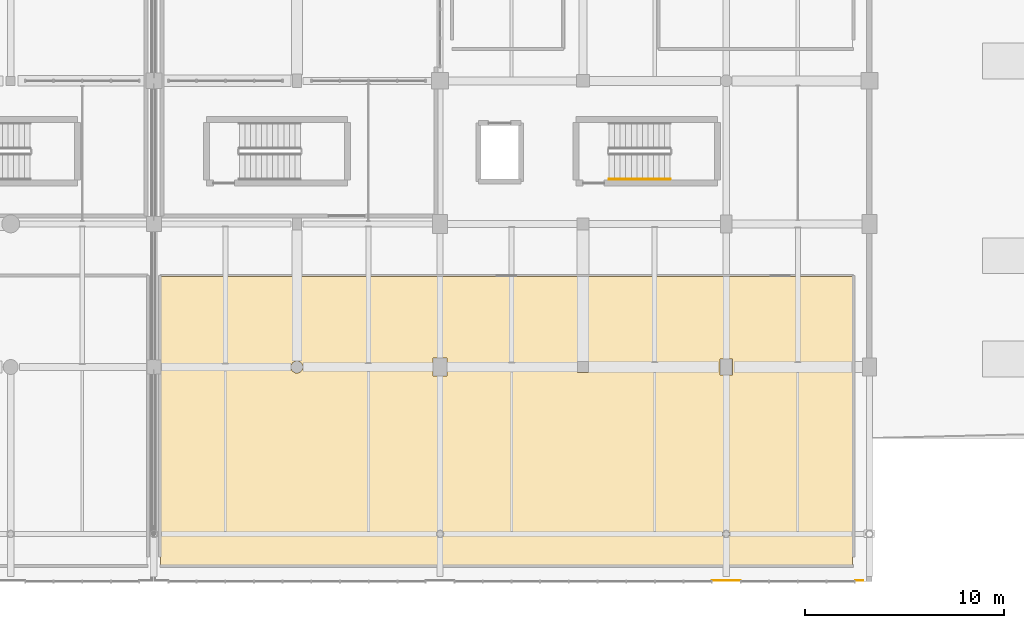
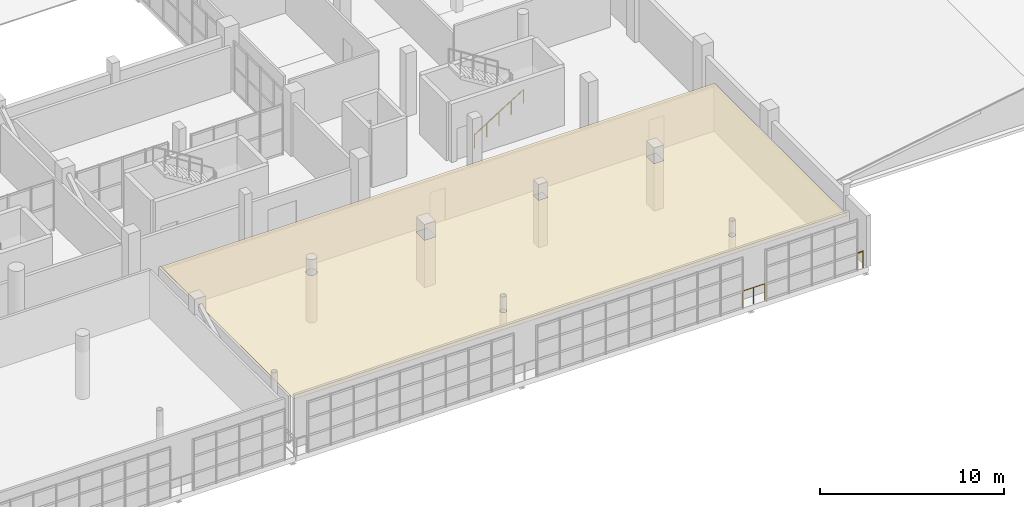
# One storey, part 86 of 90: 3 railings, 1 covering.
"""IFC4 building model written with IfcOpenShell, lengths in metres."""

from ifc_helpers import new_model, si_unit, direction, frame, origin, origin_2d, place, context, subcontext, project, spatial, polyline, circle, outline, extrude, material, layer, layer_set, type_object, element, save


model = new_model("IFC4")

# Units and contexts
model_context = context("Model", 3, precision=1e-05, world=origin(), true_north=direction((0.0, 1.0)))
body_context = subcontext(model_context, "Body", "Model", "MODEL_VIEW")
ifc_project = project(units=[si_unit("LENGTHUNIT", "METRE"), si_unit("AREAUNIT", "SQUARE_METRE"), si_unit("VOLUMEUNIT", "CUBIC_METRE"), si_unit("PLANEANGLEUNIT", "RADIAN"), si_unit("MASSUNIT", "GRAM", prefix="KILO")], contexts=[model_context])

# Site, building, storey
site_placement = place(None, origin())
site = spatial("IfcSite", under=ifc_project, at=site_placement, CompositionType="ELEMENT")
building_placement = place(site_placement, origin())
building = spatial("IfcBuilding", under=site, at=building_placement, Name="Solanera Park Tramway Depot", CompositionType="ELEMENT")
storey_placement = place(building_placement, frame((0.0, 0.0, 9.0)))
storey = spatial("IfcBuildingStorey", under=building, at=storey_placement, Name="L02", CompositionType="ELEMENT", Elevation=9.0)

# Covering
ifc_material_1 = material(Name="Acoustic perforated plasterboard and mineral-fibre ceiling")
ifc_layer_1 = layer(ifc_material_1, 0.02001953125)
ifc_layer_set_1 = layer_set([ifc_layer_1], Name="Acoustic perforated plasterboard and mineral-fibre ceiling")
covering_type = type_object("IfcCoveringType", Name="Acoustic Mineral-Fibre Ceiling 20", PredefinedType="CEILING", material=ifc_layer_set_1)
covering_placement = place(storey_placement, frame((0.0, 0.0, 3.14990234375)))
element("IfcCovering", 1, at=covering_placement, inside=storey, type_object=covering_type, Name="Signalling and Network Operations Studio Acoustic Ceiling", PredefinedType="CEILING", context=body_context, shape_type="SweptSolid", body=[
    extrude(outline(polyline([(186.360107421875, 15.360107421875), (186.360107421875, 0.840087890625), (151.5400390625, 0.840087890625), (151.5400390625, 10.447021484375), (151.552978515625, 11.153076171875), (151.5400390625, 15.360107421875), (186.360107421875, 15.360107421875)]), holes=[polyline([(158.51611328125, 11.079833984375), (158.458984375, 11.09716796875), (158.39990234375, 11.10302734375), (158.3408203125, 11.09716796875), (158.283935546875, 11.079833984375), (158.231689453125, 11.052001953125), (158.185791015625, 11.014404296875), (158.148193359375, 10.96826171875), (158.1201171875, 10.916015625), (158.102783203125, 10.859130859375), (158.096923828125, 10.800048828125), (158.102783203125, 10.740966796875), (158.1201171875, 10.68408203125), (158.148193359375, 10.631591796875), (158.185791015625, 10.585693359375), (158.231689453125, 10.548095703125), (158.283935546875, 10.52001953125), (158.3408203125, 10.502685546875), (158.39990234375, 10.4970703125), (158.458984375, 10.502685546875), (158.51611328125, 10.52001953125), (158.568359375, 10.548095703125), (158.6142578125, 10.585693359375), (158.65185546875, 10.631591796875), (158.679931640625, 10.68408203125), (158.697265625, 10.740966796875), (158.702880859375, 10.800048828125), (158.697265625, 10.859130859375), (158.679931640625, 10.916015625), (158.65185546875, 10.96826171875), (158.6142578125, 11.014404296875), (158.568359375, 11.052001953125), (158.51611328125, 11.079833984375)]), polyline([(165.952880859375, 10.346923828125), (165.952880859375, 11.2529296875), (165.2470703125, 11.2529296875), (165.2470703125, 10.346923828125), (165.952880859375, 10.346923828125)]), polyline([(172.52197265625, 10.52197265625), (173.077880859375, 10.52197265625), (173.077880859375, 11.077880859375), (172.52197265625, 11.077880859375), (172.52197265625, 10.52197265625)]), polyline([(179.697021484375, 11.202880859375), (179.697021484375, 10.39697265625), (180.302978515625, 10.39697265625), (180.302978515625, 11.202880859375), (179.697021484375, 11.202880859375)]), polyline([(165.76708984375, 2.46923828125), (165.727783203125, 2.52783203125), (165.669189453125, 2.56689453125), (165.60009765625, 2.580810546875), (165.53076171875, 2.56689453125), (165.47216796875, 2.52783203125), (165.43310546875, 2.46923828125), (165.419189453125, 2.39990234375), (165.43310546875, 2.330810546875), (165.47216796875, 2.272216796875), (165.53076171875, 2.23291015625), (165.60009765625, 2.21923828125), (165.669189453125, 2.23291015625), (165.727783203125, 2.272216796875), (165.76708984375, 2.330810546875), (165.78076171875, 2.39990234375), (165.76708984375, 2.46923828125)]), polyline([(180.17724609375, 2.435302734375), (180.150390625, 2.50048828125), (180.100341796875, 2.55029296875), (180.035400390625, 2.577392578125), (179.964599609375, 2.577392578125), (179.899658203125, 2.55029296875), (179.849609375, 2.50048828125), (179.82275390625, 2.435302734375), (179.82275390625, 2.36474609375), (179.849609375, 2.299560546875), (179.899658203125, 2.249755859375), (179.964599609375, 2.22265625), (180.035400390625, 2.22265625), (180.100341796875, 2.249755859375), (180.150390625, 2.299560546875), (180.17724609375, 2.36474609375), (180.17724609375, 2.435302734375)])]), origin(), (0.0, 0.0, 1.0), 0.02001953125),
])

# Railings
ifc_material_2 = material(Name="Powder-coated galvanised steel balustrade", Category="steel")
ifc_layer_2 = layer(ifc_material_2, 0.06005859375)
ifc_layer_set_2 = layer_set([ifc_layer_2], Name="Powder-coated galvanised steel balustrade")
railing_type_1 = type_object("IfcRailingType", Name="Classical Wrought-Style Balustrade 1120", PredefinedType="BALUSTRADE", material=ifc_layer_set_2)
railing_1_placement = place(storey_placement, frame((186.8798828125, 0.06005859375, 0.0)))
element("IfcRailing", 2, at=railing_1_placement, inside=storey, type_object=railing_type_1, Name="L02 Perimeter Deck Balustrade #045", PredefinedType="BALUSTRADE", context=body_context, shape_type="SweptSolid", body=[
    extrude(circle(Radius=0.02392578125, at=origin_2d()), frame((0.0, 0.0, 1.09619140625), z_axis=(-1.0, 0.0, 0.0), x_axis=(0.0, -1.0, 0.0)), (0.0, 0.0, 1.0), 0.3798828125),
    extrude(circle(Radius=0.02099609375, at=origin_2d()), origin(), (0.0, 0.0, 1.0), 1.072021484375),
    extrude(circle(Radius=0.02099609375, at=origin_2d()), frame((-0.3798828125, 0.0, 0.0)), (0.0, 0.0, 1.0), 1.072021484375),
])
railing_2_placement = place(storey_placement, frame((180.699951171875, 0.06005859375, 0.0)))
element("IfcRailing", 3, at=railing_2_placement, inside=storey, type_object=railing_type_1, Name="L02 Perimeter Deck Balustrade #046", PredefinedType="BALUSTRADE", context=body_context, shape_type="SweptSolid", body=[
    extrude(circle(Radius=0.02392578125, at=origin_2d()), frame((0.0, 0.0, 1.09619140625), z_axis=(-1.0, 0.0, 0.0), x_axis=(0.0, -1.0, 0.0)), (0.0, 0.0, 1.0), 1.39990234375),
    extrude(circle(Radius=0.02099609375, at=origin_2d()), origin(), (0.0, 0.0, 1.0), 1.072021484375),
    extrude(circle(Radius=0.02099609375, at=origin_2d()), frame((-0.699951171875, 0.0, 0.0)), (0.0, 0.0, 1.0), 1.072021484375),
    extrude(circle(Radius=0.02099609375, at=origin_2d()), frame((-1.39990234375, 0.0, 0.0)), (0.0, 0.0, 1.0), 1.072021484375),
])
ifc_material_3 = material(Name="Brushed stainless steel 316 handrail", Category="steel")
ifc_layer_3 = layer(ifc_material_3, 0.050048828125)
ifc_layer_set_3 = layer_set([ifc_layer_3], Name="Brushed stainless steel 316 handrail")
railing_type_2 = type_object("IfcRailingType", Name="Stair Pitch Tubular Handrail 920", PredefinedType="HANDRAIL", material=ifc_layer_set_3)
railing_3_placement = place(storey_placement, frame((174.10009765625, 20.25, 0.175048828125)))
element("IfcRailing", 4, at=railing_3_placement, inside=storey, type_object=railing_type_2, Name="ST-04 L02 Pitch Handrail 1", PredefinedType="HANDRAIL", context=body_context, shape_type="SweptSolid", body=[
    extrude(circle(Radius=0.02392578125, at=origin_2d()), frame((0.0, 0.0, 0.89599609375), z_axis=(0.847979421464, 0.0, 0.530029150871), x_axis=(0.0, 1.0, 0.0)), (0.0, 0.0, 1.0), 3.632080078125),
    extrude(circle(Radius=0.02099609375, at=origin_2d()), origin(), (0.0, 0.0, 1.0), 0.871826171875),
    extrude(circle(Radius=0.02099609375, at=origin_2d()), frame((0.77001953125, 0.0, 0.481201171875)), (0.0, 0.0, 1.0), 0.871826171875),
    extrude(circle(Radius=0.02099609375, at=origin_2d()), frame((1.5400390625, 0.0, 0.96240234375)), (0.0, 0.0, 1.0), 0.871826171875),
    extrude(circle(Radius=0.02099609375, at=origin_2d()), frame((2.309814453125, 0.0, 1.44384765625)), (0.0, 0.0, 1.0), 0.871826171875),
    extrude(circle(Radius=0.02099609375, at=origin_2d()), frame((3.079833984375, 0.0, 1.925048828125)), (0.0, 0.0, 1.0), 0.871826171875),
])

save(model, "model.ifc")
